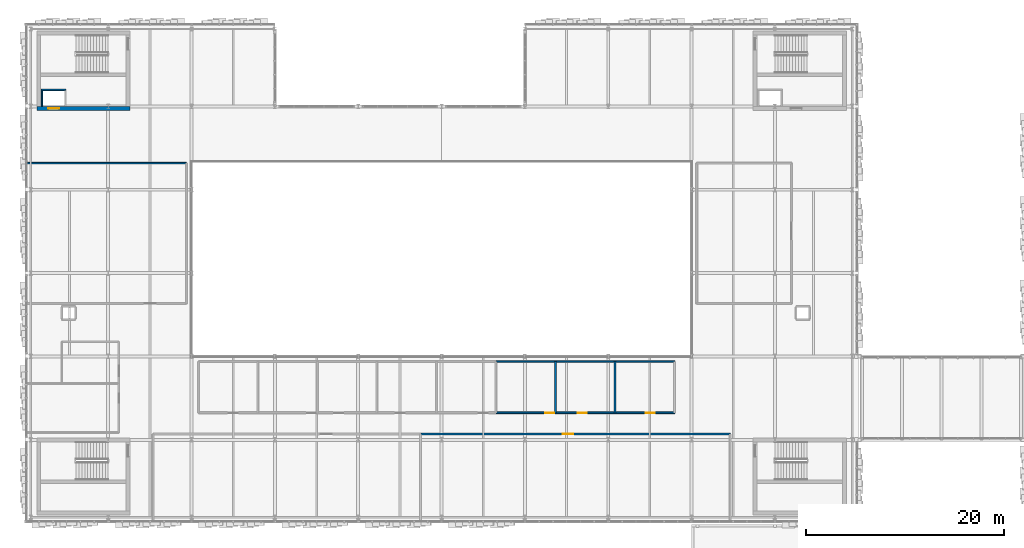
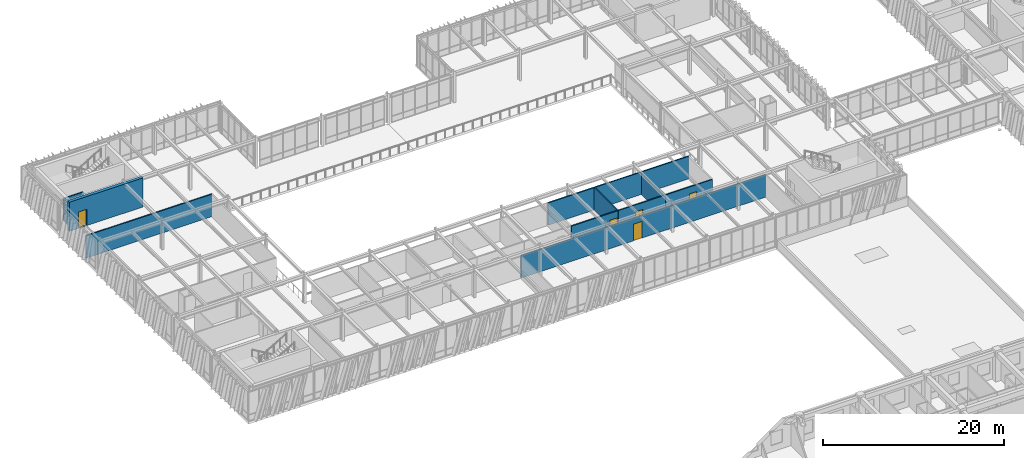
# One storey, part 107 of 127: 13 walls, 5 doors, 5 openings.
"""IFC4 building model written with IfcOpenShell, lengths in metres."""

from ifc_helpers import new_model, si_unit, direction, frame, frame_2d, origin, place, context, subcontext, project, spatial, rectangle, extrude, material, layer, layer_set, type_object, element, fill, save


model = new_model("IFC4")

# Units and contexts
model_context = context("Model", 3, precision=1e-05, world=origin(), true_north=direction((0.0, 1.0)))
body_context = subcontext(model_context, "Body", "Model", "MODEL_VIEW")
ifc_project = project(units=[si_unit("LENGTHUNIT", "METRE"), si_unit("AREAUNIT", "SQUARE_METRE"), si_unit("VOLUMEUNIT", "CUBIC_METRE"), si_unit("PLANEANGLEUNIT", "RADIAN"), si_unit("MASSUNIT", "GRAM", prefix="KILO")], contexts=[model_context])

# Site, building, storey
site_placement = place(None, origin())
site = spatial("IfcSite", under=ifc_project, at=site_placement, CompositionType="ELEMENT")
building_placement = place(site_placement, origin())
building = spatial("IfcBuilding", under=site, at=building_placement, Name="Zayran Congress Hotel", CompositionType="ELEMENT")
storey_placement = place(building_placement, frame((0.0, 0.0, 10.800048828125)))
storey = spatial("IfcBuildingStorey", under=building, at=storey_placement, Name="L02", CompositionType="ELEMENT", Elevation=10.800048828125)

# Wall, opening, door
ifc_material_1 = material(Name="Concrete C40/50", Category="concrete")
ifc_layer_1 = layer(ifc_material_1, 0.39990234375)
ifc_layer_set_1 = layer_set([ifc_layer_1], Name="Concrete C40/50")
wall_type_1 = type_object("IfcWallType", Name="WL-SH-400", PredefinedType="SHEAR", material=ifc_layer_set_1)
wall_1_placement = place(storey_placement, frame((9.60009765625, 109.39990234375, 0.0), z_axis=(0.0, 0.0, 1.0), x_axis=(1.0, 0.0, 0.0)))
wall_1 = element("IfcWall", 1, at=wall_1_placement, inside=storey, type_object=wall_type_1, Name="CWALL-C-V1W-L02-S", PredefinedType="SHEAR", context=body_context, shape_type="SweptSolid", body=[
    extrude(rectangle(XDim=9.39990234375, YDim=0.39990234375, at=frame_2d((4.699951171875, 0.0))), origin(), (0.0, 0.0, 1.0), 3.919921875),
])
opening_1_placement = place(wall_1_placement, frame((1.14990234375, 0.0, 0.0)))
opening_1 = element("IfcOpeningElement", 2, at=opening_1_placement, cuts=wall_1, Name="Opening LD-PL04", PredefinedType="OPENING", context=body_context, shape_type="SweptSolid", body=[
    extrude(rectangle(XDim=1.10009765625, YDim=2.199951171875, at=frame_2d((0.550048828125, 1.10009765625))), frame((0.0, 0.2099609375, 0.0), z_axis=(0.0, -1.0, 0.0), x_axis=(1.0, 0.0, 0.0)), (0.0, 0.0, 1.0), 0.419921875),
])
ifc_material_2 = material(Name="Brushed stainless steel sliding lift landing door", Category="steel")
door_type_1 = type_object("IfcDoorType", Name="TP-DR-LD-01", OperationType="DOUBLE_DOOR_SLIDING", PredefinedType="DOOR", material=ifc_material_2)
door_1_placement = place(opening_1_placement, origin())
door_1 = element("IfcDoor", 3, at=door_1_placement, inside=storey, type_object=door_type_1, Name="Lift PL-04 Sliding Landing Door L02", OperationType="DOUBLE_DOOR_SLIDING", OverallHeight=2.199951171875, OverallWidth=1.10009765625, PredefinedType="DOOR", context=body_context, shape_type="SweptSolid", body=[
    extrude(rectangle(XDim=1.10009765625, YDim=2.199951171875, at=frame_2d((0.550048828125, 1.10009765625))), frame((0.0, 0.02490234375, 0.0), z_axis=(0.0, -1.0, 0.0), x_axis=(1.0, 0.0, 0.0)), (0.0, 0.0, 1.0), 0.050048828125),
])
fill(opening_1, door_1)

ifc_material_3 = material(Name="Acoustic twin-stud gypsum partition", Category="gypsum")
ifc_layer_2 = layer(ifc_material_3, 0.159912109375)
ifc_layer_set_2 = layer_set([ifc_layer_2], Name="Acoustic twin-stud gypsum partition")
wall_type_2 = type_object("IfcWallType", Name="WL-PT-160", PredefinedType="PARTITIONING", material=ifc_layer_set_2)
wall_2_placement = place(storey_placement, frame((55.919921875, 78.719970703125, 0.0), z_axis=(0.0, 0.0, 1.0), x_axis=(1.0, 0.0, 0.0)))
wall_2 = element("IfcWall", 4, at=wall_2_placement, inside=storey, type_object=wall_type_2, Name="IW-L02-0491", PredefinedType="PARTITIONING", context=body_context, shape_type="SweptSolid", body=[
    extrude(rectangle(XDim=5.9599609375, YDim=0.159912109375, at=frame_2d((2.97998046875, 0.0))), origin(), (0.0, 0.0, 1.0), 3.02001953125),
])
opening_2_placement = place(wall_2_placement, frame((4.919921875, 0.0, 0.0)))
opening_2 = element("IfcOpeningElement", 5, at=opening_2_placement, cuts=wall_2, Name="Opening DR-IB-01", PredefinedType="OPENING", context=body_context, shape_type="SweptSolid", body=[
    extrude(rectangle(XDim=0.89990234375, YDim=2.10009765625, at=frame_2d((0.449951171875, 1.050048828125))), frame((0.0, 0.08984375, 0.0), z_axis=(0.0, -1.0, 0.0), x_axis=(1.0, 0.0, 0.0)), (0.0, 0.0, 1.0), 0.179931640625),
])
ifc_material_4 = material(Name="Acoustic interpretation booth door", Category="steel")
door_type_2 = type_object("IfcDoorType", Name="TP-DR-IB-01", OperationType="NOTDEFINED", PredefinedType="DOOR", material=ifc_material_4)
door_2_placement = place(opening_2_placement, origin())
door_2 = element("IfcDoor", 6, at=door_2_placement, inside=storey, type_object=door_type_2, Name="Interpretation Booth 06 Door", OperationType="SINGLE_SWING_RIGHT", OverallHeight=2.10009765625, OverallWidth=0.89990234375, PredefinedType="DOOR", context=body_context, shape_type="SweptSolid", body=[
    extrude(rectangle(XDim=0.89990234375, YDim=2.10009765625, at=frame_2d((0.449951171875, 1.050048828125))), frame((0.0, 0.02490234375, 0.0), z_axis=(0.0, -1.0, 0.0), x_axis=(1.0, 0.0, 0.0)), (0.0, 0.0, 1.0), 0.050048828125),
])
fill(opening_2, door_2)

wall_3_placement = place(storey_placement, frame((61.919921875, 78.719970703125, 0.0), z_axis=(0.0, 0.0, 1.0), x_axis=(1.0, 0.0, 0.0)))
wall_3 = element("IfcWall", 7, at=wall_3_placement, inside=storey, type_object=wall_type_2, Name="IW-L02-0492", PredefinedType="PARTITIONING", context=body_context, shape_type="SweptSolid", body=[
    extrude(rectangle(XDim=5.9599609375, YDim=0.159912109375, at=frame_2d((2.97998046875, 0.0))), origin(), (0.0, 0.0, 1.0), 3.02001953125),
])
opening_3_placement = place(wall_3_placement, frame((2.18896484375, 0.0, 0.0)))
opening_3 = element("IfcOpeningElement", 8, at=opening_3_placement, cuts=wall_3, Name="Opening DR-IB-01", PredefinedType="OPENING", context=body_context, shape_type="SweptSolid", body=[
    extrude(rectangle(XDim=0.89990234375, YDim=2.10009765625, at=frame_2d((0.449951171875, 1.050048828125))), frame((0.0, 0.08984375, 0.0), z_axis=(0.0, -1.0, 0.0), x_axis=(1.0, 0.0, 0.0)), (0.0, 0.0, 1.0), 0.179931640625),
])
door_3_placement = place(opening_3_placement, origin())
door_3 = element("IfcDoor", 9, at=door_3_placement, inside=storey, type_object=door_type_2, Name="Interpretation Booth 07 Door", OperationType="SINGLE_SWING_LEFT", OverallHeight=2.10009765625, OverallWidth=0.89990234375, PredefinedType="DOOR", context=body_context, shape_type="SweptSolid", body=[
    extrude(rectangle(XDim=0.89990234375, YDim=2.10009765625, at=frame_2d((0.449951171875, 1.050048828125))), frame((0.0, 0.02490234375, 0.0), z_axis=(0.0, -1.0, 0.0), x_axis=(1.0, 0.0, 0.0)), (0.0, 0.0, 1.0), 0.050048828125),
])
fill(opening_3, door_3)

wall_4_placement = place(storey_placement, frame((67.919921875, 78.719970703125, 0.0), z_axis=(0.0, 0.0, 1.0), x_axis=(1.0, 0.0, 0.0)))
wall_4 = element("IfcWall", 10, at=wall_4_placement, inside=storey, type_object=wall_type_2, Name="IW-L02-0493", PredefinedType="PARTITIONING", context=body_context, shape_type="SweptSolid", body=[
    extrude(rectangle(XDim=5.9599609375, YDim=0.159912109375, at=frame_2d((2.97998046875, 0.0))), origin(), (0.0, 0.0, 1.0), 3.02001953125),
])
opening_4_placement = place(wall_4_placement, frame((3.0419921875, 0.0, 0.0)))
opening_4 = element("IfcOpeningElement", 11, at=opening_4_placement, cuts=wall_4, Name="Opening DR-IB-01", PredefinedType="OPENING", context=body_context, shape_type="SweptSolid", body=[
    extrude(rectangle(XDim=0.89990234375, YDim=2.10009765625, at=frame_2d((0.449951171875, 1.050048828125))), frame((0.0, 0.08984375, 0.0), z_axis=(0.0, -1.0, 0.0), x_axis=(1.0, 0.0, 0.0)), (0.0, 0.0, 1.0), 0.179931640625),
])
door_4_placement = place(opening_4_placement, origin())
door_4 = element("IfcDoor", 12, at=door_4_placement, inside=storey, type_object=door_type_2, Name="Interpretation Booth 08 Door", OperationType="SINGLE_SWING_RIGHT", OverallHeight=2.10009765625, OverallWidth=0.89990234375, PredefinedType="DOOR", context=body_context, shape_type="SweptSolid", body=[
    extrude(rectangle(XDim=0.89990234375, YDim=2.10009765625, at=frame_2d((0.449951171875, 1.050048828125))), frame((0.0, 0.02490234375, 0.0), z_axis=(0.0, -1.0, 0.0), x_axis=(1.0, 0.0, 0.0)), (0.0, 0.0, 1.0), 0.050048828125),
])
fill(opening_4, door_4)

wall_5_placement = place(storey_placement, frame((48.320068359375, 76.580078125, 0.0), z_axis=(0.0, 0.0, 1.0), x_axis=(1.0, 0.0, 0.0)))
wall_5 = element("IfcWall", 13, at=wall_5_placement, inside=storey, type_object=wall_type_2, Name="IW-L02-0495", PredefinedType="PARTITIONING", context=body_context, shape_type="SweptSolid", body=[
    extrude(rectangle(XDim=31.159912109375, YDim=0.159912109375, at=frame_2d((15.580078125, 0.0))), origin(), (0.0, 0.0, 1.0), 3.02001953125),
])
opening_5_placement = place(wall_5_placement, frame((14.280029296875, 0.0, 0.0)))
opening_5 = element("IfcOpeningElement", 14, at=opening_5_placement, cuts=wall_5, Name="Opening DR-MT-01", PredefinedType="OPENING", context=body_context, shape_type="SweptSolid", body=[
    extrude(rectangle(XDim=1.080078125, YDim=2.25, at=frame_2d((0.5400390625, 1.125))), frame((0.0, 0.08984375, 0.0), z_axis=(0.0, -1.0, 0.0), x_axis=(1.0, 0.0, 0.0)), (0.0, 0.0, 1.0), 0.179931640625),
])
ifc_material_5 = material(Name="Acoustic timber seminar room door", Category="wood")
door_type_3 = type_object("IfcDoorType", Name="TP-DR-MT-01", OperationType="NOTDEFINED", PredefinedType="DOOR", material=ifc_material_5)
door_5_placement = place(opening_5_placement, origin())
door_5 = element("IfcDoor", 15, at=door_5_placement, inside=storey, type_object=door_type_3, Name="Press Seminar Meeting Room East Door", OperationType="SINGLE_SWING_RIGHT", OverallHeight=2.25, OverallWidth=1.080078125, PredefinedType="DOOR", context=body_context, shape_type="SweptSolid", body=[
    extrude(rectangle(XDim=1.080078125, YDim=2.25, at=frame_2d((0.5400390625, 1.125))), frame((0.0, 0.02490234375, 0.0), z_axis=(0.0, -1.0, 0.0), x_axis=(1.0, 0.0, 0.0)), (0.0, 0.0, 1.0), 0.050048828125),
])
fill(opening_5, door_5)

# Walls
wall_6_placement = place(storey_placement, frame((55.919921875, 83.8798828125, 0.0), z_axis=(0.0, 0.0, 1.0), x_axis=(1.0, 0.0, 0.0)))
element("IfcWall", 16, at=wall_6_placement, inside=storey, type_object=wall_type_2, Name="IW-L02-1789", PredefinedType="PARTITIONING", context=body_context, shape_type="SweptSolid", body=[
    extrude(rectangle(XDim=5.9599609375, YDim=0.159912109375, at=frame_2d((2.97998046875, 0.0))), origin(), (0.0, 0.0, 1.0), 3.02001953125),
])
wall_7_placement = place(storey_placement, frame((61.8798828125, 78.719970703125, 0.0), z_axis=(0.0, 0.0, 1.0), x_axis=(0.0, 1.0, 0.0)))
element("IfcWall", 17, at=wall_7_placement, inside=storey, type_object=wall_type_2, Name="IW-L02-1790", PredefinedType="PARTITIONING", context=body_context, shape_type="SweptSolid", body=[
    extrude(rectangle(XDim=5.159912109375, YDim=0.159912109375, at=frame_2d((2.580078125, 0.0))), origin(), (0.0, 0.0, 1.0), 3.02001953125),
])
wall_8_placement = place(storey_placement, frame((61.919921875, 83.8798828125, 0.0), z_axis=(0.0, 0.0, 1.0), x_axis=(1.0, 0.0, 0.0)))
element("IfcWall", 18, at=wall_8_placement, inside=storey, type_object=wall_type_2, Name="IW-L02-1791", PredefinedType="PARTITIONING", context=body_context, shape_type="SweptSolid", body=[
    extrude(rectangle(XDim=5.9599609375, YDim=0.159912109375, at=frame_2d((2.97998046875, 0.0))), origin(), (0.0, 0.0, 1.0), 3.02001953125),
])
wall_9_placement = place(storey_placement, frame((67.8798828125, 78.719970703125, 0.0), z_axis=(0.0, 0.0, 1.0), x_axis=(0.0, 1.0, 0.0)))
element("IfcWall", 19, at=wall_9_placement, inside=storey, type_object=wall_type_2, Name="IW-L02-1792", PredefinedType="PARTITIONING", context=body_context, shape_type="SweptSolid", body=[
    extrude(rectangle(XDim=5.159912109375, YDim=0.159912109375, at=frame_2d((2.580078125, 0.0))), origin(), (0.0, 0.0, 1.0), 3.02001953125),
])
wall_10_placement = place(storey_placement, frame((67.919921875, 83.8798828125, 0.0), z_axis=(0.0, 0.0, 1.0), x_axis=(1.0, 0.0, 0.0)))
element("IfcWall", 20, at=wall_10_placement, inside=storey, type_object=wall_type_2, Name="IW-L02-1793", PredefinedType="PARTITIONING", context=body_context, shape_type="SweptSolid", body=[
    extrude(rectangle(XDim=5.9599609375, YDim=0.159912109375, at=frame_2d((2.97998046875, 0.0))), origin(), (0.0, 0.0, 1.0), 3.02001953125),
])
wall_11_placement = place(storey_placement, frame((8.639892578125, 103.8798828125, 0.0), z_axis=(0.0, 0.0, 1.0), x_axis=(1.0, 0.0, 0.0)))
element("IfcWall", 21, at=wall_11_placement, inside=storey, type_object=wall_type_2, Name="IW-L02-1798", PredefinedType="PARTITIONING", context=body_context, shape_type="SweptSolid", body=[
    extrude(rectangle(XDim=16.0400390625, YDim=0.159912109375, at=frame_2d((8.02001953125, 0.0))), origin(), (0.0, 0.0, 1.0), 3.02001953125),
])
ifc_material_6 = material(Name="Hospitality guestroom acoustic partition", Category="gypsum")
ifc_layer_3 = layer(ifc_material_6, 0.139892578125)
ifc_layer_set_3 = layer_set([ifc_layer_3], Name="Hospitality guestroom acoustic partition")
wall_type_3 = type_object("IfcWallType", Name="WL-PT-140", PredefinedType="PARTITIONING", material=ifc_layer_set_3)
wall_12_placement = place(storey_placement, frame((10.1298828125, 109.60009765625, 0.0), z_axis=(0.0, 0.0, 1.0), x_axis=(0.0, 1.0, 0.0)))
element("IfcWall", 22, at=wall_12_placement, inside=storey, type_object=wall_type_3, Name="LSHW-C-V1W-L02-W", PredefinedType="PARTITIONING", context=body_context, shape_type="SweptSolid", body=[
    extrude(rectangle(XDim=1.599853515625, YDim=0.139892578125, at=frame_2d((0.7998046875, 0.0))), origin(), (0.0, 0.0, 1.0), 3.070068359375),
])
wall_13_placement = place(storey_placement, frame((10.06005859375, 111.27001953125, 0.0), z_axis=(0.0, 0.0, 1.0), x_axis=(1.0, 0.0, 0.0)))
element("IfcWall", 23, at=wall_13_placement, inside=storey, type_object=wall_type_3, Name="LSHW-C-V1W-L02-N", PredefinedType="PARTITIONING", context=body_context, shape_type="SweptSolid", body=[
    extrude(rectangle(XDim=2.47998046875, YDim=0.139892578125, at=frame_2d((1.239990234375, 0.0))), origin(), (0.0, 0.0, 1.0), 3.070068359375),
])

save(model, "model.ifc")
